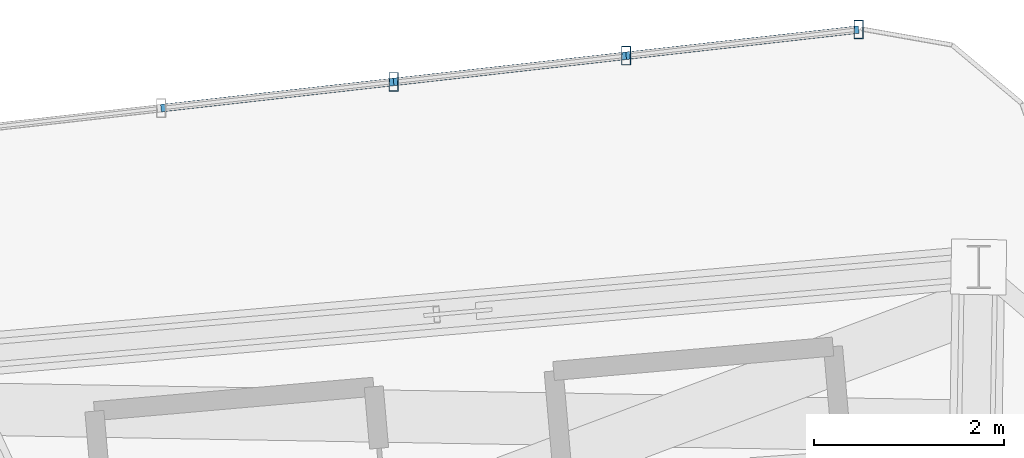
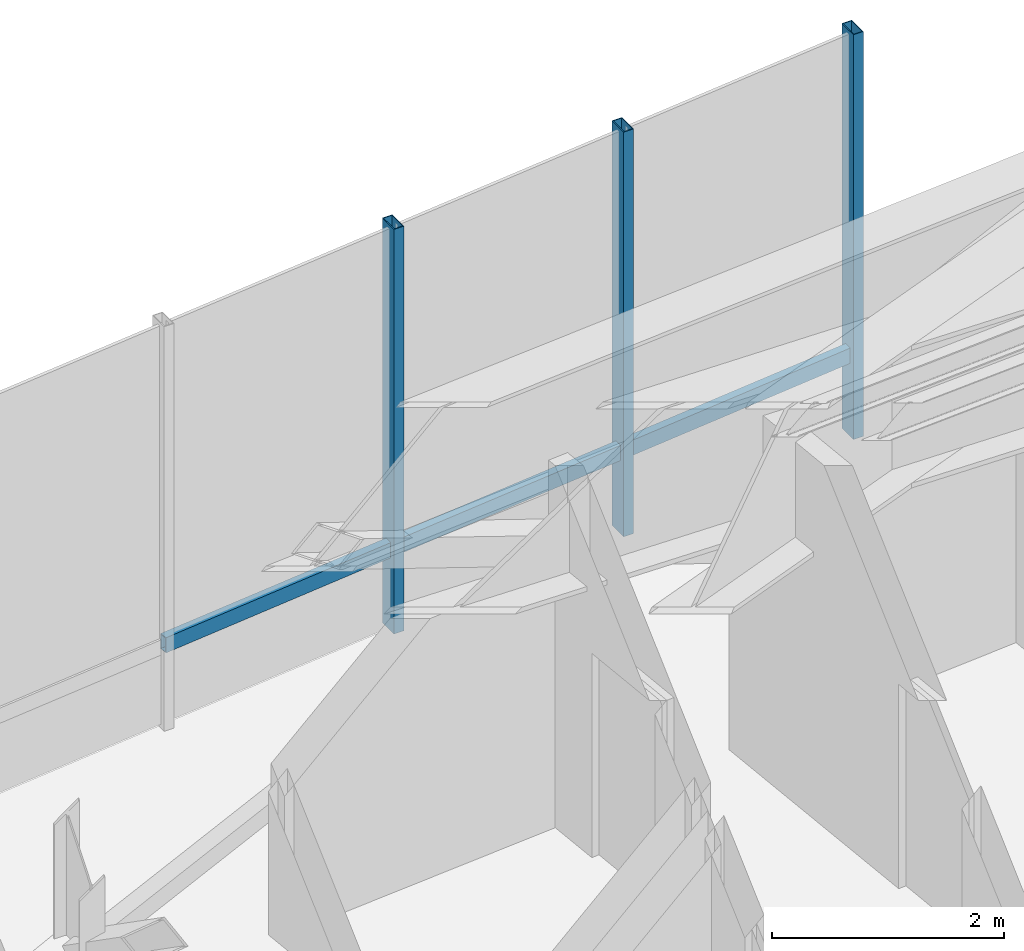
# One storey, part 11 of 17: 6 members, 1 element without a shape of its own.
"""IFC4 building model written with IfcOpenShell, lengths in metres."""

from ifc_helpers import new_model, si_unit, direction, frame, origin, origin_2d, place, context, subcontext, project, spatial, hollow_rectangle, extrude, source, transform, mapped, material, material_profile, profile_set, type_object, element, aggregate, save


model = new_model("IFC4")

# Units and contexts
model_context = context("Model", 3, precision=1e-05, world=origin(), true_north=direction((0.0, 1.0)))
body_context = subcontext(model_context, "Body", "Model", "MODEL_VIEW")
ifc_project = project(units=[si_unit("LENGTHUNIT", "METRE"), si_unit("AREAUNIT", "SQUARE_METRE"), si_unit("VOLUMEUNIT", "CUBIC_METRE"), si_unit("PLANEANGLEUNIT", "RADIAN"), si_unit("MASSUNIT", "GRAM", prefix="KILO")], contexts=[model_context])

# Site, building, storey
site_placement = place(None, origin())
site = spatial("IfcSite", under=ifc_project, at=site_placement, CompositionType="ELEMENT")
building_placement = place(site_placement, origin())
building = spatial("IfcBuilding", under=site, at=building_placement, Name="Sahyath Konkavel Grand Hotel", CompositionType="ELEMENT")
storey_placement = place(building_placement, frame((0.0, 0.0, 202.0)))
storey = spatial("IfcBuildingStorey", under=building, at=storey_placement, Name="L56", CompositionType="ELEMENT", Elevation=202.0)

# Curtain wall, members
ifc_material_1 = material(Name="Anodised Bronze Aluminium & Low-E Glazing", Category="aluminium")
curtain_wall_type = type_object("IfcCurtainWallType", Name="CW-SKYLOBBY", PredefinedType="NOTDEFINED", material=ifc_material_1)
curtain_wall_placement = place(storey_placement, origin())
curtain_wall = element("IfcCurtainWall", 1, at=curtain_wall_placement, inside=storey, type_object=curtain_wall_type, Name="L56 Unitised Curtain Wall RF12", PredefinedType="NOTDEFINED")
ifc_material_2 = material(Name="Anodised Bronze Aluminium", Category="aluminium")
ifc_material_profile_1 = material_profile(ifc_material_2, hollow_rectangle(XDim=0.10009765625, YDim=0.199951171875, WallThickness=0.008056640625, at=origin_2d()), Name="RHS 200x100x8")
ifc_profile_set_1 = profile_set([ifc_material_profile_1], Name="Anodised Bronze Aluminium")
member_type_1 = type_object("IfcMemberType", Name="CW-MUL-200", PredefinedType="MULLION", material=ifc_profile_set_1)
shared_shape_1 = source(origin(), body_context, "Body", "SweptSolid", [
    extrude(hollow_rectangle(XDim=0.10009765625, YDim=0.199951171875, WallThickness=0.008056640625, at=origin_2d()), origin(), (0.0, 0.0, 1.0), 4.260009765625),
])
member_1_placement = place(storey_placement, frame((2.673828125, 20.610595703125, 0.0), z_axis=(0.0, 0.0, 1.0), x_axis=(1.0, 0.0, 0.0)))
member_1 = element("IfcMember", 2, at=member_1_placement, type_object=member_type_1, Name="L56 Curtain Wall Mullion RF12-0", PredefinedType="MULLION", context=body_context, shape_type="MappedRepresentation", body=[
    mapped(shared_shape_1, transform((0.0, 0.0, 0.0), scale=1.0)),
])
member_2_placement = place(storey_placement, frame((0.227294921875, 20.334716796875, 0.0), z_axis=(0.0, 0.0, 1.0), x_axis=(1.0, 0.0, 0.0)))
member_2 = element("IfcMember", 3, at=member_2_placement, type_object=member_type_1, Name="L56 Curtain Wall Mullion RF12-1", PredefinedType="MULLION", context=body_context, shape_type="MappedRepresentation", body=[
    mapped(shared_shape_1, transform((0.0, 0.0, 0.0), scale=1.0)),
])
member_3_placement = place(storey_placement, frame((-2.21923828125, 20.05908203125, 0.0), z_axis=(0.0, 0.0, 1.0), x_axis=(1.0, 0.0, 0.0)))
member_3 = element("IfcMember", 4, at=member_3_placement, type_object=member_type_1, Name="L56 Curtain Wall Mullion RF12-2", PredefinedType="MULLION", context=body_context, shape_type="MappedRepresentation", body=[
    mapped(shared_shape_1, transform((0.0, 0.0, 0.0), scale=1.0)),
])
ifc_material_profile_2 = material_profile(ifc_material_2, hollow_rectangle(XDim=0.080078125, YDim=0.159912109375, WallThickness=0.006103515625, at=origin_2d()), Name="RHS 160x80x6")
ifc_profile_set_2 = profile_set([ifc_material_profile_2], Name="Anodised Bronze Aluminium")
member_type_2 = type_object("IfcMemberType", Name="CW-TRN-160", PredefinedType="USERDEFINED", material=ifc_profile_set_2)
shared_shape_2 = source(origin(), body_context, "Body", "SweptSolid", [
    extrude(hollow_rectangle(XDim=0.080078125, YDim=0.159912109375, WallThickness=0.006103515625, at=origin_2d()), origin(), (0.0, 0.0, 1.0), 2.462158203125),
])
member_4_placement = place(storey_placement, frame((2.673828125, 20.610595703125, 0.85009765625), z_axis=(-0.99370222711, -0.112053040279, 0.0), x_axis=(0.112053040279, -0.99370222711, 0.0)))
member_4 = element("IfcMember", 5, at=member_4_placement, type_object=member_type_2, Name="L56 Curtain Wall Transom RF12-0-spandrel", ObjectType="TRANSOM", PredefinedType="USERDEFINED", context=body_context, shape_type="MappedRepresentation", body=[
    mapped(shared_shape_2, transform((0.0, 0.0, 0.0), scale=1.0)),
])
member_5_placement = place(storey_placement, frame((-2.21923828125, 20.05908203125, 0.85009765625), z_axis=(-0.99370222711, -0.112053040279, 0.0), x_axis=(0.112053040279, -0.99370222711, 0.0)))
member_5 = element("IfcMember", 6, at=member_5_placement, type_object=member_type_2, Name="L56 Curtain Wall Transom RF12-2-spandrel", ObjectType="TRANSOM", PredefinedType="USERDEFINED", context=body_context, shape_type="MappedRepresentation", body=[
    mapped(shared_shape_2, transform((0.0, 0.0, 0.0), scale=1.0)),
])
shared_shape_3 = source(origin(), body_context, "Body", "SweptSolid", [
    extrude(hollow_rectangle(XDim=0.080078125, YDim=0.159912109375, WallThickness=0.006103515625, at=origin_2d()), origin(), (0.0, 0.0, 1.0), 2.4619140625),
])
member_6_placement = place(storey_placement, frame((0.227294921875, 20.334716796875, 0.85009765625), z_axis=(-0.993713263833, -0.111955121731, 0.0), x_axis=(0.111955121731, -0.993713263833, 0.0)))
member_6 = element("IfcMember", 7, at=member_6_placement, type_object=member_type_2, Name="L56 Curtain Wall Transom RF12-1-spandrel", ObjectType="TRANSOM", PredefinedType="USERDEFINED", context=body_context, shape_type="MappedRepresentation", body=[
    mapped(shared_shape_3, transform((0.0, 0.0, 0.0), scale=1.0)),
])
aggregate(curtain_wall, [member_1, member_2, member_3, member_4, member_6, member_5])

save(model, "model.ifc")
